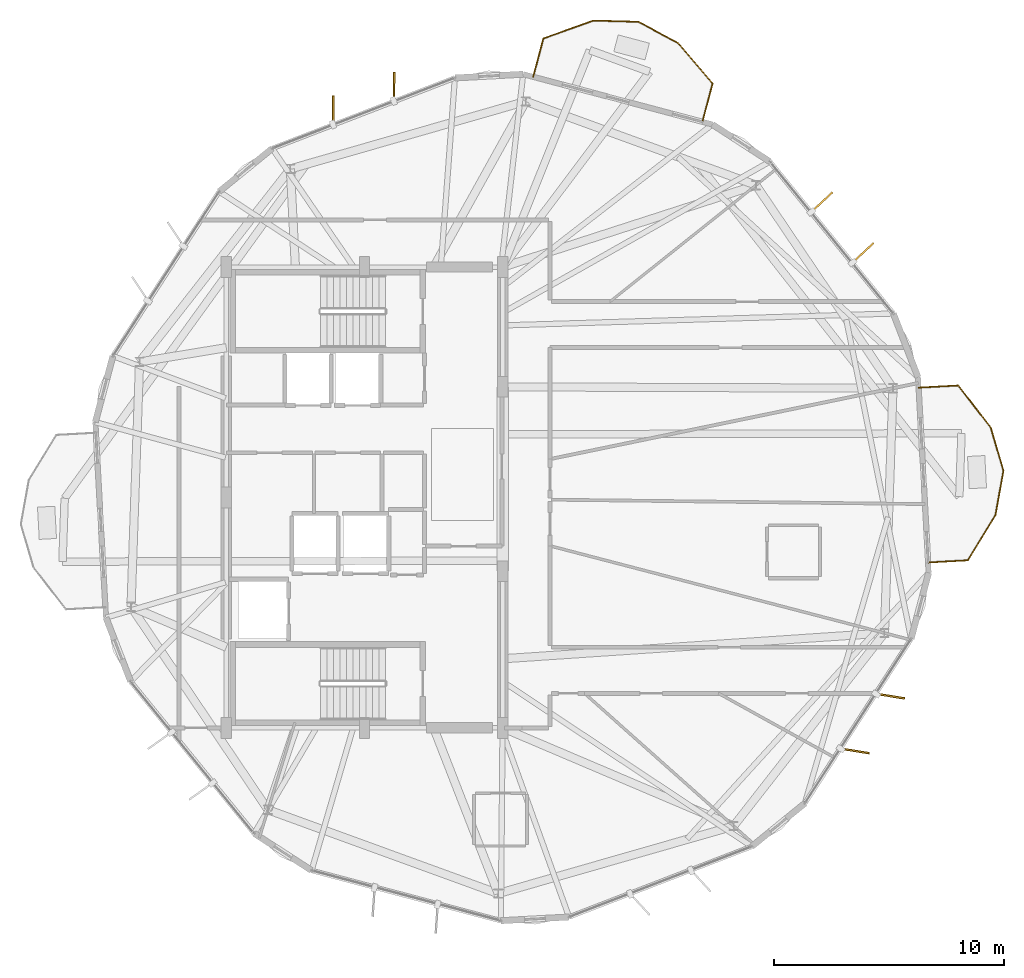
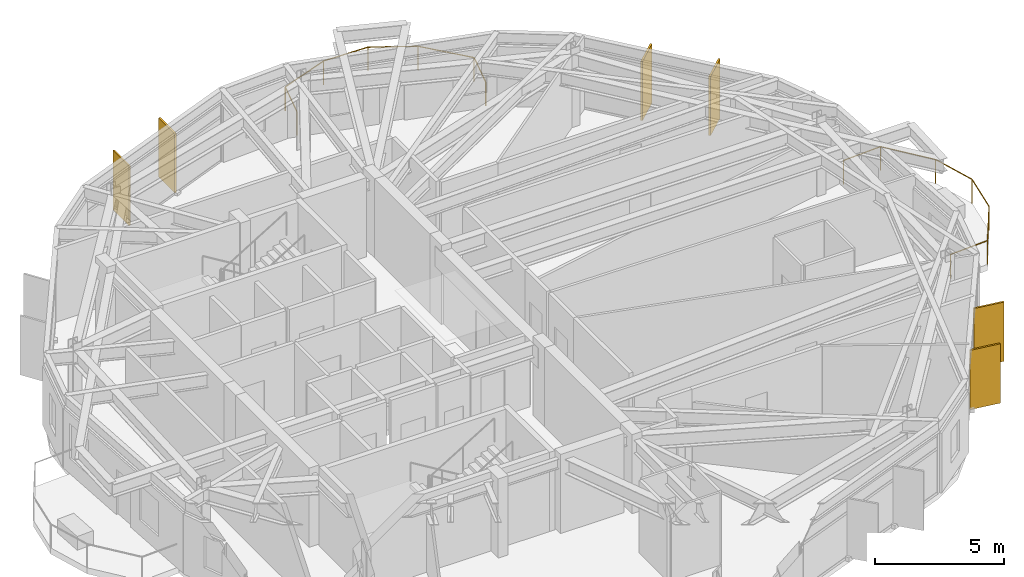
# One storey, part 26 of 26: 6 shading devices, 2 railings.
"""IFC4 building model written with IfcOpenShell, lengths in metres."""

from ifc_helpers import new_model, si_unit, direction, frame, origin, origin_2d, place, context, subcontext, project, spatial, rectangle, circle, extrude, material, layer, layer_set, type_object, element, save


model = new_model("IFC4")

# Units and contexts
model_context = context("Model", 3, precision=1e-05, world=origin(), true_north=direction((0.0, 1.0)))
body_context = subcontext(model_context, "Body", "Model", "MODEL_VIEW")
ifc_project = project(units=[si_unit("LENGTHUNIT", "METRE"), si_unit("AREAUNIT", "SQUARE_METRE"), si_unit("VOLUMEUNIT", "CUBIC_METRE"), si_unit("PLANEANGLEUNIT", "RADIAN"), si_unit("MASSUNIT", "GRAM", prefix="KILO")], contexts=[model_context])

# Site, building, storey
site_placement = place(None, origin())
site = spatial("IfcSite", under=ifc_project, at=site_placement, CompositionType="ELEMENT")
building_placement = place(site_placement, origin())
building = spatial("IfcBuilding", under=site, at=building_placement, Name="Soratama Intermodal Tower", CompositionType="ELEMENT")
storey_placement = place(building_placement, frame((0.0, 0.0, 242.5)))
storey = spatial("IfcBuildingStorey", under=building, at=storey_placement, Name="L61", CompositionType="ELEMENT", Elevation=242.5)

# Railings
ifc_material_1 = material(Name="Laminated glass and stainless steel balustrade", Category="steel")
railing_type = type_object("IfcRailingType", Name="RL-BAL-1150", PredefinedType="BALUSTRADE", material=ifc_material_1)
railing_1_placement = place(storey_placement, frame((62.646484375, 29.767578125, 0.0)))
element("IfcRailing", 1, at=railing_1_placement, inside=storey, type_object=railing_type, Name="L61 Balcony Balustrade 1", PredefinedType="BALUSTRADE", context=body_context, shape_type="SweptSolid", body=[
    extrude(circle(Radius=0.02392578125, at=origin_2d()), frame((0.0, 0.0, 1.1259765625), z_axis=(0.998521316452, 0.054361572736, 0.0), x_axis=(-0.054361572736, 0.998521316452, 0.0)), (0.0, 0.0, 1.0), 1.719970703125),
    extrude(circle(Radius=0.02392578125, at=origin_2d()), frame((1.717529296875, 0.093505859375, 1.1259765625), z_axis=(0.611880889467, -0.790949920732, 0.0), x_axis=(0.790949920732, 0.611880889467, 0.0)), (0.0, 0.0, 1.0), 2.30810546875),
    extrude(circle(Radius=0.02392578125, at=origin_2d()), frame((3.1298828125, -1.732177734375, 1.1259765625), z_axis=(0.282606348441, -0.95923597296, 0.0), x_axis=(0.95923597296, 0.282606348441, 0.0)), (0.0, 0.0, 1.0), 1.952392578125),
    extrude(circle(Radius=0.02392578125, at=origin_2d()), frame((3.681640625, -3.60498046875, 1.1259765625), z_axis=(-0.176695125989, -0.984265631043, 0.0), x_axis=(0.984265631043, -0.176695125989, 0.0)), (0.0, 0.0, 1.0), 1.952392578125),
    extrude(circle(Radius=0.02392578125, at=origin_2d()), frame((3.336669921875, -5.526611328125, 1.1259765625), z_axis=(-0.522266893052, -0.852782089647, 0.0), x_axis=(0.852782089647, -0.522266893052, 0.0)), (0.0, 0.0, 1.0), 2.308349609375),
    extrude(circle(Radius=0.02392578125, at=origin_2d()), frame((2.131103515625, -7.4951171875, 1.1259765625), z_axis=(-0.998513180297, -0.054510813368, 0.0), x_axis=(0.054510813368, -0.998513180297, 0.0)), (0.0, 0.0, 1.0), 1.7197265625),
    extrude(circle(Radius=0.02099609375, at=origin_2d()), origin(), (0.0, 0.0, 1.0), 1.101806640625),
    extrude(circle(Radius=0.02099609375, at=origin_2d()), frame((1.717529296875, 0.093505859375, 0.0)), (0.0, 0.0, 1.0), 1.101806640625),
    extrude(circle(Radius=0.02099609375, at=origin_2d()), frame((3.1298828125, -1.732177734375, 0.0)), (0.0, 0.0, 1.0), 1.101806640625),
    extrude(circle(Radius=0.02099609375, at=origin_2d()), frame((3.681640625, -3.60498046875, 0.0)), (0.0, 0.0, 1.0), 1.101806640625),
    extrude(circle(Radius=0.02099609375, at=origin_2d()), frame((3.336669921875, -5.526611328125, 0.0)), (0.0, 0.0, 1.0), 1.101806640625),
    extrude(circle(Radius=0.02099609375, at=origin_2d()), frame((2.131103515625, -7.4951171875, 0.0)), (0.0, 0.0, 1.0), 1.101806640625),
    extrude(circle(Radius=0.02099609375, at=origin_2d()), frame((0.413818359375, -7.5888671875, 0.0)), (0.0, 0.0, 1.0), 1.101806640625),
])
railing_2_placement = place(storey_placement, frame((45.9189453125, 43.256103515625, 0.0)))
element("IfcRailing", 2, at=railing_2_placement, inside=storey, type_object=railing_type, Name="L61 Balcony Balustrade 2", PredefinedType="BALUSTRADE", context=body_context, shape_type="SweptSolid", body=[
    extrude(circle(Radius=0.02392578125, at=origin_2d()), frame((0.0, 0.0, 1.1259765625), z_axis=(0.256770259494, 0.966472469261, 0.0), x_axis=(-0.966472469261, 0.256770259494, 0.0)), (0.0, 0.0, 1.0), 1.719970703125),
    extrude(circle(Radius=0.02392578125, at=origin_2d()), frame((0.441650390625, 1.662353515625, 1.1259765625), z_axis=(0.941336868647, 0.337468368481, 0.0), x_axis=(-0.337468368481, 0.941336868647, 0.0)), (0.0, 0.0, 1.0), 2.30859375),
    extrude(circle(Radius=0.02392578125, at=origin_2d()), frame((2.61474609375, 2.44140625, 1.1259765625), z_axis=(0.999617980082, -0.027638630501, 0.0), x_axis=(0.027638630501, 0.999617980082, 0.0)), (0.0, 0.0, 1.0), 1.9521484375),
    extrude(circle(Radius=0.02392578125, at=origin_2d()), frame((4.566162109375, 2.387451171875, 1.1259765625), z_axis=(0.881492983055, -0.472197120729, 0.0), x_axis=(0.472197120729, 0.881492983055, 0.0)), (0.0, 0.0, 1.0), 1.952392578125),
    extrude(circle(Radius=0.02392578125, at=origin_2d()), frame((6.287109375, 1.465576171875, 1.1259765625), z_axis=(0.649684556159, -0.760203905205, 0.0), x_axis=(0.760203905205, 0.649684556159, 0.0)), (0.0, 0.0, 1.0), 2.308349609375),
    extrude(circle(Radius=0.02392578125, at=origin_2d()), frame((7.786865234375, -0.289306640625, 1.1259765625), z_axis=(-0.256902834416, -0.966437237315, 0.0), x_axis=(0.966437237315, -0.256902834416, 0.0)), (0.0, 0.0, 1.0), 1.719970703125),
    extrude(circle(Radius=0.02099609375, at=origin_2d()), origin(), (0.0, 0.0, 1.0), 1.101806640625),
    extrude(circle(Radius=0.02099609375, at=origin_2d()), frame((0.441650390625, 1.662353515625, 0.0)), (0.0, 0.0, 1.0), 1.101806640625),
    extrude(circle(Radius=0.02099609375, at=origin_2d()), frame((2.61474609375, 2.44140625, 0.0)), (0.0, 0.0, 1.0), 1.101806640625),
    extrude(circle(Radius=0.02099609375, at=origin_2d()), frame((4.566162109375, 2.387451171875, 0.0)), (0.0, 0.0, 1.0), 1.101806640625),
    extrude(circle(Radius=0.02099609375, at=origin_2d()), frame((6.287109375, 1.465576171875, 0.0)), (0.0, 0.0, 1.0), 1.101806640625),
    extrude(circle(Radius=0.02099609375, at=origin_2d()), frame((7.786865234375, -0.289306640625, 0.0)), (0.0, 0.0, 1.0), 1.101806640625),
    extrude(circle(Radius=0.02099609375, at=origin_2d()), frame((7.344970703125, -1.95166015625, 0.0)), (0.0, 0.0, 1.0), 1.101806640625),
])

# Shading devices
ifc_material_2 = material(Name="Champagne anodised aluminium solar fin", Category="aluminium")
ifc_layer = layer(ifc_material_2, 0.080078125)
ifc_layer_set = layer_set([ifc_layer], Name="Champagne anodised aluminium solar fin")
shading_device_type = type_object("IfcShadingDeviceType", Name="SH-FIN-1250", PredefinedType="USERDEFINED", material=ifc_layer_set)
for number, where, z_axis, x_axis, name in (
    (3, (39.8818359375, 42.834228515625, 0.02001953125), (0.0, 0.0, 1.0), (0.004537840481, 0.999989703949, 0.0), "L61 Solar Fin F02-1"),
    (4, (37.239013671875, 41.8134765625, 0.02001953125), (0.0, 0.0, 1.0), (0.004537840481, 0.999989703949, 0.0), "L61 Solar Fin F02-2"),
    (5, (59.88330078125, 14.000732421875, 0.02001953125), (0.0, 0.0, 1.0), (0.987192013995, -0.159536602398, 0.0), "L61 Solar Fin F08-1"),
    (6, (61.42138671875, 16.380126953125, 0.02001953125), (0.0, 0.0, 1.0), (0.987192013995, -0.159536602398, 0.0), "L61 Solar Fin F08-2"),
    (7, (60.23828125, 35.62109375, 0.02001953125), (0.0, 0.0, 1.0), (0.732899222969, 0.6803372171, 0.0), "L61 Solar Fin F10-1"),
    (8, (58.45068359375, 37.819091796875, 0.02001953125), (0.0, 0.0, 1.0), (0.732899222969, 0.6803372171, 0.0), "L61 Solar Fin F10-2"),
):
    element("IfcShadingDevice", number, at=place(storey_placement, frame(where, z_axis=z_axis, x_axis=x_axis)), inside=storey, type_object=shading_device_type, Name=name, ObjectType="FIN", PredefinedType="USERDEFINED", context=body_context, shape_type="SweptSolid", body=[
        extrude(rectangle(XDim=1.25, YDim=0.080078125, at=origin_2d()), origin(), (0.0, 0.0, 1.0), 2.80908203125),
    ])

save(model, "model.ifc")
